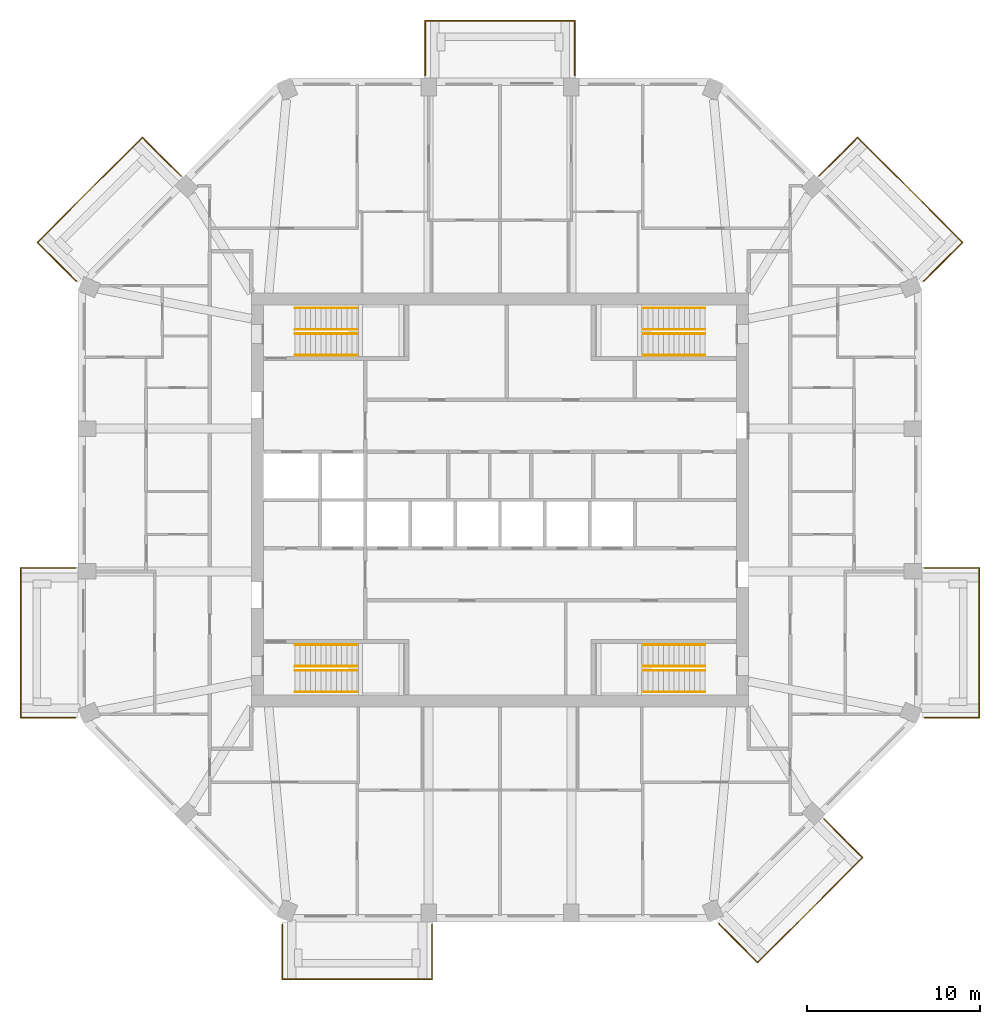
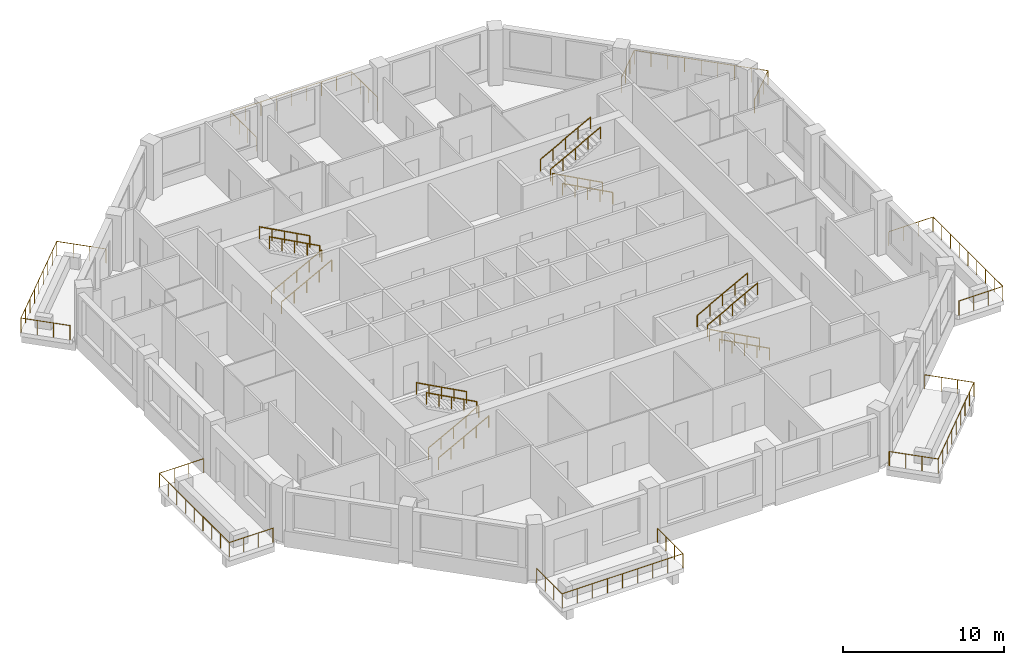
# One storey, part 10 of 10: 23 railings.
"""IFC4 building model written with IfcOpenShell, lengths in metres."""

from ifc_helpers import new_model, si_unit, direction, frame, origin, origin_2d, place, context, subcontext, project, spatial, circle, extrude, material, constituent, constituent_set, type_object, element, save


model = new_model("IFC4")

# Units and contexts
model_context = context("Model", 3, precision=1e-05, world=origin(), true_north=direction((0.0, 1.0)))
body_context = subcontext(model_context, "Body", "Model", "MODEL_VIEW")
ifc_project = project(units=[si_unit("LENGTHUNIT", "METRE"), si_unit("AREAUNIT", "SQUARE_METRE"), si_unit("VOLUMEUNIT", "CUBIC_METRE"), si_unit("PLANEANGLEUNIT", "RADIAN"), si_unit("MASSUNIT", "GRAM", prefix="KILO")], contexts=[model_context])

# Site, building, storey
site_placement = place(None, origin())
site = spatial("IfcSite", under=ifc_project, at=site_placement, CompositionType="ELEMENT")
building_placement = place(site_placement, origin())
building = spatial("IfcBuilding", under=site, at=building_placement, Name="Msitu Wima Residences", CompositionType="ELEMENT")
storey_placement = place(building_placement, frame((0.0, 0.0, 195.89990234375)))
storey = spatial("IfcBuildingStorey", under=building, at=storey_placement, Name="L45", CompositionType="ELEMENT", Elevation=195.89990234375)

# Railings
ifc_material_1 = material(Name="Steel S355", Category="steel")
ifc_constituent_1 = constituent(ifc_material_1, Name="Steel S355")
ifc_material_2 = material(Name="Weathering patina")
ifc_constituent_2 = constituent(ifc_material_2, Name="Weathering patina")
ifc_constituent_set_1 = constituent_set(constituents=[ifc_constituent_1, ifc_constituent_2], Name="Steel S355")
railing_type_1 = type_object("IfcRailingType", Name="Balcony guard GR1100", PredefinedType="GUARDRAIL", material=ifc_constituent_set_1)
railing_1_placement = place(storey_placement, frame((24.580078125, -3.937255859375, 0.0)))
element("IfcRailing", 1, at=railing_1_placement, inside=storey, type_object=railing_type_1, Name="Balcony guard E0 L45", PredefinedType="GUARDRAIL", context=body_context, shape_type="SweptSolid", body=[
    extrude(circle(Radius=0.02392578125, at=origin_2d()), frame((0.0, 0.0, 1.076171875), z_axis=(1.0, 0.0, 0.0), x_axis=(0.0, 1.0, 0.0)), (0.0, 0.0, 1.0), 3.169921875),
    extrude(circle(Radius=0.02392578125, at=origin_2d()), frame((3.169921875, 0.0, 1.076171875), z_axis=(0.0, -1.0, 0.0), x_axis=(1.0, 0.0, 0.0)), (0.0, 0.0, 1.0), 8.674560546875),
    extrude(circle(Radius=0.02392578125, at=origin_2d()), frame((3.169921875, -8.674560546875, 1.076171875), z_axis=(-1.0, 0.0, 0.0), x_axis=(0.0, -1.0, 0.0)), (0.0, 0.0, 1.0), 3.136474609375),
    extrude(circle(Radius=0.02392578125, at=origin_2d()), frame((0.033447265625, -8.674560546875, 1.076171875), z_axis=(-0.923276184907, 0.384136806859, 0.0), x_axis=(-0.384136806859, -0.923276184907, 0.0)), (0.0, 0.0, 1.0), 0.0361328125),
    extrude(circle(Radius=0.02099609375, at=origin_2d()), origin(), (0.0, 0.0, 1.0), 1.052001953125),
    extrude(circle(Radius=0.02099609375, at=origin_2d()), frame((1.056640625, 0.0, 0.0)), (0.0, 0.0, 1.0), 1.052001953125),
    extrude(circle(Radius=0.02099609375, at=origin_2d()), frame((2.11328125, 0.0, 0.0)), (0.0, 0.0, 1.0), 1.052001953125),
    extrude(circle(Radius=0.02099609375, at=origin_2d()), frame((3.169921875, 0.0, 0.0)), (0.0, 0.0, 1.0), 1.052001953125),
    extrude(circle(Radius=0.02099609375, at=origin_2d()), frame((3.169921875, -1.084228515625, 0.0)), (0.0, 0.0, 1.0), 1.052001953125),
    extrude(circle(Radius=0.02099609375, at=origin_2d()), frame((3.169921875, -2.168701171875, 0.0)), (0.0, 0.0, 1.0), 1.052001953125),
    extrude(circle(Radius=0.02099609375, at=origin_2d()), frame((3.169921875, -3.2529296875, 0.0)), (0.0, 0.0, 1.0), 1.052001953125),
    extrude(circle(Radius=0.02099609375, at=origin_2d()), frame((3.169921875, -4.33740234375, 0.0)), (0.0, 0.0, 1.0), 1.052001953125),
    extrude(circle(Radius=0.02099609375, at=origin_2d()), frame((3.169921875, -5.421630859375, 0.0)), (0.0, 0.0, 1.0), 1.052001953125),
    extrude(circle(Radius=0.02099609375, at=origin_2d()), frame((3.169921875, -6.505859375, 0.0)), (0.0, 0.0, 1.0), 1.052001953125),
    extrude(circle(Radius=0.02099609375, at=origin_2d()), frame((3.169921875, -7.59033203125, 0.0)), (0.0, 0.0, 1.0), 1.052001953125),
    extrude(circle(Radius=0.02099609375, at=origin_2d()), frame((3.169921875, -8.674560546875, 0.0)), (0.0, 0.0, 1.0), 1.052001953125),
    extrude(circle(Radius=0.02099609375, at=origin_2d()), frame((2.12451171875, -8.674560546875, 0.0)), (0.0, 0.0, 1.0), 1.052001953125),
    extrude(circle(Radius=0.02099609375, at=origin_2d()), frame((1.078857421875, -8.674560546875, 0.0)), (0.0, 0.0, 1.0), 1.052001953125),
    extrude(circle(Radius=0.02099609375, at=origin_2d()), frame((0.033447265625, -8.674560546875, 0.0)), (0.0, 0.0, 1.0), 1.052001953125),
    extrude(circle(Radius=0.02099609375, at=origin_2d()), frame((0.0, -8.66064453125, 0.0)), (0.0, 0.0, 1.0), 1.052001953125),
])
railing_2_placement = place(storey_placement, frame((18.474609375, 18.75732421875, 0.0)))
element("IfcRailing", 2, at=railing_2_placement, inside=storey, type_object=railing_type_1, Name="Balcony guard NE0 L45", PredefinedType="GUARDRAIL", context=body_context, shape_type="SweptSolid", body=[
    extrude(circle(Radius=0.02392578125, at=origin_2d()), frame((0.0, 0.0, 1.076171875), z_axis=(0.707068272989, 0.707145287287, 0.0), x_axis=(-0.707145287287, 0.707068272989, 0.0)), (0.0, 0.0, 1.0), 3.170166015625),
    extrude(circle(Radius=0.02392578125, at=origin_2d()), frame((2.241455078125, 2.24169921875, 1.076171875), z_axis=(0.707106781187, -0.707106781187, 0.0), x_axis=(0.707106781187, 0.707106781187, 0.0)), (0.0, 0.0, 1.0), 8.593994140625),
    extrude(circle(Radius=0.02392578125, at=origin_2d()), frame((8.318359375, -3.835205078125, 1.076171875), z_axis=(-0.707067861805, -0.707145698426, 0.0), x_axis=(0.707145698426, -0.707067861805, 0.0)), (0.0, 0.0, 1.0), 3.136474609375),
    extrude(circle(Radius=0.02392578125, at=origin_2d()), frame((6.1005859375, -6.05322265625, 1.076171875), z_axis=(-0.923276184907, -0.384136806859, 0.0), x_axis=(0.384136806859, -0.923276184907, 0.0)), (0.0, 0.0, 1.0), 0.0361328125),
    extrude(circle(Radius=0.02099609375, at=origin_2d()), origin(), (0.0, 0.0, 1.0), 1.052001953125),
    extrude(circle(Radius=0.02099609375, at=origin_2d()), frame((0.7470703125, 0.747314453125, 0.0)), (0.0, 0.0, 1.0), 1.052001953125),
    extrude(circle(Radius=0.02099609375, at=origin_2d()), frame((1.494384765625, 1.494384765625, 0.0)), (0.0, 0.0, 1.0), 1.052001953125),
    extrude(circle(Radius=0.02099609375, at=origin_2d()), frame((2.241455078125, 2.24169921875, 0.0)), (0.0, 0.0, 1.0), 1.052001953125),
    extrude(circle(Radius=0.02099609375, at=origin_2d()), frame((3.0009765625, 1.482177734375, 0.0)), (0.0, 0.0, 1.0), 1.052001953125),
    extrude(circle(Radius=0.02099609375, at=origin_2d()), frame((3.7607421875, 0.722412109375, 0.0)), (0.0, 0.0, 1.0), 1.052001953125),
    extrude(circle(Radius=0.02099609375, at=origin_2d()), frame((4.520263671875, -0.037109375, 0.0)), (0.0, 0.0, 1.0), 1.052001953125),
    extrude(circle(Radius=0.02099609375, at=origin_2d()), frame((5.27978515625, -0.796875, 0.0)), (0.0, 0.0, 1.0), 1.052001953125),
    extrude(circle(Radius=0.02099609375, at=origin_2d()), frame((6.03955078125, -1.556396484375, 0.0)), (0.0, 0.0, 1.0), 1.052001953125),
    extrude(circle(Radius=0.02099609375, at=origin_2d()), frame((6.799072265625, -2.31591796875, 0.0)), (0.0, 0.0, 1.0), 1.052001953125),
    extrude(circle(Radius=0.02099609375, at=origin_2d()), frame((7.558837890625, -3.07568359375, 0.0)), (0.0, 0.0, 1.0), 1.052001953125),
    extrude(circle(Radius=0.02099609375, at=origin_2d()), frame((8.318359375, -3.835205078125, 0.0)), (0.0, 0.0, 1.0), 1.052001953125),
    extrude(circle(Radius=0.02099609375, at=origin_2d()), frame((7.5791015625, -4.574462890625, 0.0)), (0.0, 0.0, 1.0), 1.052001953125),
    extrude(circle(Radius=0.02099609375, at=origin_2d()), frame((6.83984375, -5.31396484375, 0.0)), (0.0, 0.0, 1.0), 1.052001953125),
    extrude(circle(Radius=0.02099609375, at=origin_2d()), frame((6.1005859375, -6.05322265625, 0.0)), (0.0, 0.0, 1.0), 1.052001953125),
    extrude(circle(Radius=0.02099609375, at=origin_2d()), frame((6.067138671875, -6.067138671875, 0.0)), (0.0, 0.0, 1.0), 1.052001953125),
])
railing_3_placement = place(storey_placement, frame((-4.337158203125, 24.580078125, 0.0)))
element("IfcRailing", 3, at=railing_3_placement, inside=storey, type_object=railing_type_1, Name="Balcony guard N1 L45", PredefinedType="GUARDRAIL", context=body_context, shape_type="SweptSolid", body=[
    extrude(circle(Radius=0.02392578125, at=origin_2d()), frame((0.0, 0.0, 1.076171875), z_axis=(0.0, 1.0, 0.0), x_axis=(-1.0, 0.0, 0.0)), (0.0, 0.0, 1.0), 3.169921875),
    extrude(circle(Radius=0.02392578125, at=origin_2d()), frame((0.0, 3.169921875, 1.076171875), z_axis=(1.0, 0.0, 0.0), x_axis=(0.0, 1.0, 0.0)), (0.0, 0.0, 1.0), 8.67431640625),
    extrude(circle(Radius=0.02392578125, at=origin_2d()), frame((8.67431640625, 3.169921875, 1.076171875), z_axis=(0.0, -1.0, 0.0), x_axis=(1.0, 0.0, 0.0)), (0.0, 0.0, 1.0), 3.169921875),
    extrude(circle(Radius=0.02099609375, at=origin_2d()), origin(), (0.0, 0.0, 1.0), 1.052001953125),
    extrude(circle(Radius=0.02099609375, at=origin_2d()), frame((0.0, 1.056640625, 0.0)), (0.0, 0.0, 1.0), 1.052001953125),
    extrude(circle(Radius=0.02099609375, at=origin_2d()), frame((0.0, 2.11328125, 0.0)), (0.0, 0.0, 1.0), 1.052001953125),
    extrude(circle(Radius=0.02099609375, at=origin_2d()), frame((0.0, 3.169921875, 0.0)), (0.0, 0.0, 1.0), 1.052001953125),
    extrude(circle(Radius=0.02099609375, at=origin_2d()), frame((1.084228515625, 3.169921875, 0.0)), (0.0, 0.0, 1.0), 1.052001953125),
    extrude(circle(Radius=0.02099609375, at=origin_2d()), frame((2.16845703125, 3.169921875, 0.0)), (0.0, 0.0, 1.0), 1.052001953125),
    extrude(circle(Radius=0.02099609375, at=origin_2d()), frame((3.2529296875, 3.169921875, 0.0)), (0.0, 0.0, 1.0), 1.052001953125),
    extrude(circle(Radius=0.02099609375, at=origin_2d()), frame((4.337158203125, 3.169921875, 0.0)), (0.0, 0.0, 1.0), 1.052001953125),
    extrude(circle(Radius=0.02099609375, at=origin_2d()), frame((5.42138671875, 3.169921875, 0.0)), (0.0, 0.0, 1.0), 1.052001953125),
    extrude(circle(Radius=0.02099609375, at=origin_2d()), frame((6.505859375, 3.169921875, 0.0)), (0.0, 0.0, 1.0), 1.052001953125),
    extrude(circle(Radius=0.02099609375, at=origin_2d()), frame((7.590087890625, 3.169921875, 0.0)), (0.0, 0.0, 1.0), 1.052001953125),
    extrude(circle(Radius=0.02099609375, at=origin_2d()), frame((8.67431640625, 3.169921875, 0.0)), (0.0, 0.0, 1.0), 1.052001953125),
    extrude(circle(Radius=0.02099609375, at=origin_2d()), frame((8.67431640625, 2.11328125, 0.0)), (0.0, 0.0, 1.0), 1.052001953125),
    extrude(circle(Radius=0.02099609375, at=origin_2d()), frame((8.67431640625, 1.056640625, 0.0)), (0.0, 0.0, 1.0), 1.052001953125),
    extrude(circle(Radius=0.02099609375, at=origin_2d()), frame((8.67431640625, 0.0, 0.0)), (0.0, 0.0, 1.0), 1.052001953125),
])
railing_4_placement = place(storey_placement, frame((-24.541748046875, 12.690185546875, 0.0)))
element("IfcRailing", 4, at=railing_4_placement, inside=storey, type_object=railing_type_1, Name="Balcony guard NW1 L45", PredefinedType="GUARDRAIL", context=body_context, shape_type="SweptSolid", body=[
    extrude(circle(Radius=0.02392578125, at=origin_2d()), frame((0.0, 0.0, 1.076171875), z_axis=(-0.923276184907, 0.384136806859, 0.0), x_axis=(-0.384136806859, -0.923276184907, 0.0)), (0.0, 0.0, 1.0), 0.0361328125),
    extrude(circle(Radius=0.02392578125, at=origin_2d()), frame((-0.033447265625, 0.013916015625, 1.076171875), z_axis=(-0.707067861805, 0.707145698426, 0.0), x_axis=(-0.707145698426, -0.707067861805, 0.0)), (0.0, 0.0, 1.0), 3.136474609375),
    extrude(circle(Radius=0.02392578125, at=origin_2d()), frame((-2.251220703125, 2.23193359375, 1.076171875), z_axis=(0.707106781187, 0.707106781187, 0.0), x_axis=(-0.707106781187, 0.707106781187, 0.0)), (0.0, 0.0, 1.0), 8.593994140625),
    extrude(circle(Radius=0.02392578125, at=origin_2d()), frame((3.82568359375, 8.308837890625, 1.076171875), z_axis=(0.707068272989, -0.707145287287, 0.0), x_axis=(0.707145287287, 0.707068272989, 0.0)), (0.0, 0.0, 1.0), 3.170166015625),
    extrude(circle(Radius=0.02099609375, at=origin_2d()), origin(), (0.0, 0.0, 1.0), 1.052001953125),
    extrude(circle(Radius=0.02099609375, at=origin_2d()), frame((-0.033447265625, 0.013916015625, 0.0)), (0.0, 0.0, 1.0), 1.052001953125),
    extrude(circle(Radius=0.02099609375, at=origin_2d()), frame((-0.772705078125, 0.753173828125, 0.0)), (0.0, 0.0, 1.0), 1.052001953125),
    extrude(circle(Radius=0.02099609375, at=origin_2d()), frame((-1.511962890625, 1.49267578125, 0.0)), (0.0, 0.0, 1.0), 1.052001953125),
    extrude(circle(Radius=0.02099609375, at=origin_2d()), frame((-2.251220703125, 2.23193359375, 0.0)), (0.0, 0.0, 1.0), 1.052001953125),
    extrude(circle(Radius=0.02099609375, at=origin_2d()), frame((-1.49169921875, 2.991455078125, 0.0)), (0.0, 0.0, 1.0), 1.052001953125),
    extrude(circle(Radius=0.02099609375, at=origin_2d()), frame((-0.73193359375, 3.751220703125, 0.0)), (0.0, 0.0, 1.0), 1.052001953125),
    extrude(circle(Radius=0.02099609375, at=origin_2d()), frame((0.027587890625, 4.5107421875, 0.0)), (0.0, 0.0, 1.0), 1.052001953125),
    extrude(circle(Radius=0.02099609375, at=origin_2d()), frame((0.787109375, 5.2705078125, 0.0)), (0.0, 0.0, 1.0), 1.052001953125),
    extrude(circle(Radius=0.02099609375, at=origin_2d()), frame((1.546875, 6.030029296875, 0.0)), (0.0, 0.0, 1.0), 1.052001953125),
    extrude(circle(Radius=0.02099609375, at=origin_2d()), frame((2.306396484375, 6.78955078125, 0.0)), (0.0, 0.0, 1.0), 1.052001953125),
    extrude(circle(Radius=0.02099609375, at=origin_2d()), frame((3.066162109375, 7.54931640625, 0.0)), (0.0, 0.0, 1.0), 1.052001953125),
    extrude(circle(Radius=0.02099609375, at=origin_2d()), frame((3.82568359375, 8.308837890625, 0.0)), (0.0, 0.0, 1.0), 1.052001953125),
    extrude(circle(Radius=0.02099609375, at=origin_2d()), frame((4.57275390625, 7.5615234375, 0.0)), (0.0, 0.0, 1.0), 1.052001953125),
    extrude(circle(Radius=0.02099609375, at=origin_2d()), frame((5.320068359375, 6.814453125, 0.0)), (0.0, 0.0, 1.0), 1.052001953125),
    extrude(circle(Radius=0.02099609375, at=origin_2d()), frame((6.067138671875, 6.067138671875, 0.0)), (0.0, 0.0, 1.0), 1.052001953125),
])
railing_5_placement = place(storey_placement, frame((-24.580078125, -12.597900390625, 0.0)))
element("IfcRailing", 5, at=railing_5_placement, inside=storey, type_object=railing_type_1, Name="Balcony guard W2 L45", PredefinedType="GUARDRAIL", context=body_context, shape_type="SweptSolid", body=[
    extrude(circle(Radius=0.02392578125, at=origin_2d()), frame((0.0, 0.0, 1.076171875), z_axis=(-0.923276184907, -0.384136806859, 0.0), x_axis=(0.384136806859, -0.923276184907, 0.0)), (0.0, 0.0, 1.0), 0.0361328125),
    extrude(circle(Radius=0.02392578125, at=origin_2d()), frame((-0.033447265625, -0.013916015625, 1.076171875), z_axis=(-1.0, 0.0, 0.0), x_axis=(0.0, -1.0, 0.0)), (0.0, 0.0, 1.0), 3.136474609375),
    extrude(circle(Radius=0.02392578125, at=origin_2d()), frame((-3.169921875, -0.013916015625, 1.076171875), z_axis=(0.0, 1.0, 0.0), x_axis=(-1.0, 0.0, 0.0)), (0.0, 0.0, 1.0), 8.674560546875),
    extrude(circle(Radius=0.02392578125, at=origin_2d()), frame((-3.169921875, 8.66064453125, 1.076171875), z_axis=(1.0, 0.0, 0.0), x_axis=(0.0, 1.0, 0.0)), (0.0, 0.0, 1.0), 3.169921875),
    extrude(circle(Radius=0.02099609375, at=origin_2d()), origin(), (0.0, 0.0, 1.0), 1.052001953125),
    extrude(circle(Radius=0.02099609375, at=origin_2d()), frame((-0.033447265625, -0.013916015625, 0.0)), (0.0, 0.0, 1.0), 1.052001953125),
    extrude(circle(Radius=0.02099609375, at=origin_2d()), frame((-1.078857421875, -0.013916015625, 0.0)), (0.0, 0.0, 1.0), 1.052001953125),
    extrude(circle(Radius=0.02099609375, at=origin_2d()), frame((-2.12451171875, -0.013916015625, 0.0)), (0.0, 0.0, 1.0), 1.052001953125),
    extrude(circle(Radius=0.02099609375, at=origin_2d()), frame((-3.169921875, -0.013916015625, 0.0)), (0.0, 0.0, 1.0), 1.052001953125),
    extrude(circle(Radius=0.02099609375, at=origin_2d()), frame((-3.169921875, 1.0703125, 0.0)), (0.0, 0.0, 1.0), 1.052001953125),
    extrude(circle(Radius=0.02099609375, at=origin_2d()), frame((-3.169921875, 2.15478515625, 0.0)), (0.0, 0.0, 1.0), 1.052001953125),
    extrude(circle(Radius=0.02099609375, at=origin_2d()), frame((-3.169921875, 3.239013671875, 0.0)), (0.0, 0.0, 1.0), 1.052001953125),
    extrude(circle(Radius=0.02099609375, at=origin_2d()), frame((-3.169921875, 4.3232421875, 0.0)), (0.0, 0.0, 1.0), 1.052001953125),
    extrude(circle(Radius=0.02099609375, at=origin_2d()), frame((-3.169921875, 5.40771484375, 0.0)), (0.0, 0.0, 1.0), 1.052001953125),
    extrude(circle(Radius=0.02099609375, at=origin_2d()), frame((-3.169921875, 6.491943359375, 0.0)), (0.0, 0.0, 1.0), 1.052001953125),
    extrude(circle(Radius=0.02099609375, at=origin_2d()), frame((-3.169921875, 7.576416015625, 0.0)), (0.0, 0.0, 1.0), 1.052001953125),
    extrude(circle(Radius=0.02099609375, at=origin_2d()), frame((-3.169921875, 8.66064453125, 0.0)), (0.0, 0.0, 1.0), 1.052001953125),
    extrude(circle(Radius=0.02099609375, at=origin_2d()), frame((-2.11328125, 8.66064453125, 0.0)), (0.0, 0.0, 1.0), 1.052001953125),
    extrude(circle(Radius=0.02099609375, at=origin_2d()), frame((-1.056640625, 8.66064453125, 0.0)), (0.0, 0.0, 1.0), 1.052001953125),
    extrude(circle(Radius=0.02099609375, at=origin_2d()), frame((0.0, 8.66064453125, 0.0)), (0.0, 0.0, 1.0), 1.052001953125),
])
railing_6_placement = place(storey_placement, frame((-3.937255859375, -24.580078125, 0.0)))
element("IfcRailing", 6, at=railing_6_placement, inside=storey, type_object=railing_type_1, Name="Balcony guard S0 L45", PredefinedType="GUARDRAIL", context=body_context, shape_type="SweptSolid", body=[
    extrude(circle(Radius=0.02392578125, at=origin_2d()), frame((0.0, 0.0, 1.076171875), z_axis=(0.0, -1.0, 0.0), x_axis=(1.0, 0.0, 0.0)), (0.0, 0.0, 1.0), 3.169921875),
    extrude(circle(Radius=0.02392578125, at=origin_2d()), frame((0.0, -3.169921875, 1.076171875), z_axis=(-1.0, 0.0, 0.0), x_axis=(0.0, -1.0, 0.0)), (0.0, 0.0, 1.0), 8.674560546875),
    extrude(circle(Radius=0.02392578125, at=origin_2d()), frame((-8.674560546875, -3.169921875, 1.076171875), z_axis=(0.0, 1.0, 0.0), x_axis=(-1.0, 0.0, 0.0)), (0.0, 0.0, 1.0), 3.136474609375),
    extrude(circle(Radius=0.02392578125, at=origin_2d()), frame((-8.674560546875, -0.033447265625, 1.076171875), z_axis=(0.384136806859, 0.923276184907, 0.0), x_axis=(-0.923276184907, 0.384136806859, 0.0)), (0.0, 0.0, 1.0), 0.0361328125),
    extrude(circle(Radius=0.02099609375, at=origin_2d()), origin(), (0.0, 0.0, 1.0), 1.052001953125),
    extrude(circle(Radius=0.02099609375, at=origin_2d()), frame((0.0, -1.056640625, 0.0)), (0.0, 0.0, 1.0), 1.052001953125),
    extrude(circle(Radius=0.02099609375, at=origin_2d()), frame((0.0, -2.11328125, 0.0)), (0.0, 0.0, 1.0), 1.052001953125),
    extrude(circle(Radius=0.02099609375, at=origin_2d()), frame((0.0, -3.169921875, 0.0)), (0.0, 0.0, 1.0), 1.052001953125),
    extrude(circle(Radius=0.02099609375, at=origin_2d()), frame((-1.084228515625, -3.169921875, 0.0)), (0.0, 0.0, 1.0), 1.052001953125),
    extrude(circle(Radius=0.02099609375, at=origin_2d()), frame((-2.168701171875, -3.169921875, 0.0)), (0.0, 0.0, 1.0), 1.052001953125),
    extrude(circle(Radius=0.02099609375, at=origin_2d()), frame((-3.2529296875, -3.169921875, 0.0)), (0.0, 0.0, 1.0), 1.052001953125),
    extrude(circle(Radius=0.02099609375, at=origin_2d()), frame((-4.33740234375, -3.169921875, 0.0)), (0.0, 0.0, 1.0), 1.052001953125),
    extrude(circle(Radius=0.02099609375, at=origin_2d()), frame((-5.421630859375, -3.169921875, 0.0)), (0.0, 0.0, 1.0), 1.052001953125),
    extrude(circle(Radius=0.02099609375, at=origin_2d()), frame((-6.505859375, -3.169921875, 0.0)), (0.0, 0.0, 1.0), 1.052001953125),
    extrude(circle(Radius=0.02099609375, at=origin_2d()), frame((-7.59033203125, -3.169921875, 0.0)), (0.0, 0.0, 1.0), 1.052001953125),
    extrude(circle(Radius=0.02099609375, at=origin_2d()), frame((-8.674560546875, -3.169921875, 0.0)), (0.0, 0.0, 1.0), 1.052001953125),
    extrude(circle(Radius=0.02099609375, at=origin_2d()), frame((-8.674560546875, -2.12451171875, 0.0)), (0.0, 0.0, 1.0), 1.052001953125),
    extrude(circle(Radius=0.02099609375, at=origin_2d()), frame((-8.674560546875, -1.078857421875, 0.0)), (0.0, 0.0, 1.0), 1.052001953125),
    extrude(circle(Radius=0.02099609375, at=origin_2d()), frame((-8.674560546875, -0.033447265625, 0.0)), (0.0, 0.0, 1.0), 1.052001953125),
    extrude(circle(Radius=0.02099609375, at=origin_2d()), frame((-8.66064453125, 0.0, 0.0)), (0.0, 0.0, 1.0), 1.052001953125),
])
railing_7_placement = place(storey_placement, frame((18.75732421875, -18.474609375, 0.0)))
element("IfcRailing", 7, at=railing_7_placement, inside=storey, type_object=railing_type_1, Name="Balcony guard SE0 L45", PredefinedType="GUARDRAIL", context=body_context, shape_type="SweptSolid", body=[
    extrude(circle(Radius=0.02392578125, at=origin_2d()), frame((0.0, 0.0, 1.076171875), z_axis=(0.707145287287, -0.707068272989, 0.0), x_axis=(0.707068272989, 0.707145287287, 0.0)), (0.0, 0.0, 1.0), 3.170166015625),
    extrude(circle(Radius=0.02392578125, at=origin_2d()), frame((2.24169921875, -2.241455078125, 1.076171875), z_axis=(-0.707106781187, -0.707106781187, 0.0), x_axis=(0.707106781187, -0.707106781187, 0.0)), (0.0, 0.0, 1.0), 8.593994140625),
    extrude(circle(Radius=0.02392578125, at=origin_2d()), frame((-3.835205078125, -8.318359375, 1.076171875), z_axis=(-0.707145698426, 0.707067861805, 0.0), x_axis=(-0.707067861805, -0.707145698426, 0.0)), (0.0, 0.0, 1.0), 3.136474609375),
    extrude(circle(Radius=0.02392578125, at=origin_2d()), frame((-6.05322265625, -6.1005859375, 1.076171875), z_axis=(-0.384136806859, 0.923276184907, 0.0), x_axis=(-0.923276184907, -0.384136806859, 0.0)), (0.0, 0.0, 1.0), 0.0361328125),
    extrude(circle(Radius=0.02099609375, at=origin_2d()), origin(), (0.0, 0.0, 1.0), 1.052001953125),
    extrude(circle(Radius=0.02099609375, at=origin_2d()), frame((0.747314453125, -0.7470703125, 0.0)), (0.0, 0.0, 1.0), 1.052001953125),
    extrude(circle(Radius=0.02099609375, at=origin_2d()), frame((1.494384765625, -1.494384765625, 0.0)), (0.0, 0.0, 1.0), 1.052001953125),
    extrude(circle(Radius=0.02099609375, at=origin_2d()), frame((2.24169921875, -2.241455078125, 0.0)), (0.0, 0.0, 1.0), 1.052001953125),
    extrude(circle(Radius=0.02099609375, at=origin_2d()), frame((1.482177734375, -3.0009765625, 0.0)), (0.0, 0.0, 1.0), 1.052001953125),
    extrude(circle(Radius=0.02099609375, at=origin_2d()), frame((0.722412109375, -3.7607421875, 0.0)), (0.0, 0.0, 1.0), 1.052001953125),
    extrude(circle(Radius=0.02099609375, at=origin_2d()), frame((-0.037109375, -4.520263671875, 0.0)), (0.0, 0.0, 1.0), 1.052001953125),
    extrude(circle(Radius=0.02099609375, at=origin_2d()), frame((-0.796875, -5.27978515625, 0.0)), (0.0, 0.0, 1.0), 1.052001953125),
    extrude(circle(Radius=0.02099609375, at=origin_2d()), frame((-1.556396484375, -6.03955078125, 0.0)), (0.0, 0.0, 1.0), 1.052001953125),
    extrude(circle(Radius=0.02099609375, at=origin_2d()), frame((-2.31591796875, -6.799072265625, 0.0)), (0.0, 0.0, 1.0), 1.052001953125),
    extrude(circle(Radius=0.02099609375, at=origin_2d()), frame((-3.07568359375, -7.558837890625, 0.0)), (0.0, 0.0, 1.0), 1.052001953125),
    extrude(circle(Radius=0.02099609375, at=origin_2d()), frame((-3.835205078125, -8.318359375, 0.0)), (0.0, 0.0, 1.0), 1.052001953125),
    extrude(circle(Radius=0.02099609375, at=origin_2d()), frame((-4.574462890625, -7.5791015625, 0.0)), (0.0, 0.0, 1.0), 1.052001953125),
    extrude(circle(Radius=0.02099609375, at=origin_2d()), frame((-5.31396484375, -6.83984375, 0.0)), (0.0, 0.0, 1.0), 1.052001953125),
    extrude(circle(Radius=0.02099609375, at=origin_2d()), frame((-6.05322265625, -6.1005859375, 0.0)), (0.0, 0.0, 1.0), 1.052001953125),
    extrude(circle(Radius=0.02099609375, at=origin_2d()), frame((-6.067138671875, -6.067138671875, 0.0)), (0.0, 0.0, 1.0), 1.052001953125),
])
ifc_constituent_3 = constituent(ifc_material_1, Name="Steel S355")
ifc_material_3 = material(Name="Black powder coating")
ifc_constituent_4 = constituent(ifc_material_3, Name="Black powder coating")
ifc_constituent_set_2 = constituent_set(constituents=[ifc_constituent_3, ifc_constituent_4], Name="Steel S355")
railing_type_2 = type_object("IfcRailingType", Name="Stair handrail HR1", PredefinedType="HANDRAIL", material=ifc_constituent_set_2)
for number, where, name in (
    (8, (-11.875, 8.375, 0.16162109375), "Stair 1 handrail"),
    (9, (-11.875, 9.625, 0.16162109375), "Stair 1 handrail"),
):
    element("IfcRailing", number, at=place(storey_placement, frame(where)), inside=storey, type_object=railing_type_2, Name=name, PredefinedType="HANDRAIL", context=body_context, shape_type="SweptSolid", body=[
        extrude(circle(Radius=0.02392578125, at=origin_2d()), frame((0.0, 0.0, 0.8759765625), z_axis=(0.880474934443, 0.0, 0.474092701714), x_axis=(0.0, 1.0, 0.0)), (0.0, 0.0, 1.0), 4.0888671875),
        extrude(circle(Radius=0.02099609375, at=origin_2d()), origin(), (0.0, 0.0, 1.0), 0.851806640625),
        extrude(circle(Radius=0.02099609375, at=origin_2d()), frame((0.89990234375, 0.0, 0.484619140625)), (0.0, 0.0, 1.0), 0.851806640625),
        extrude(circle(Radius=0.02099609375, at=origin_2d()), frame((1.800048828125, 0.0, 0.96923828125)), (0.0, 0.0, 1.0), 0.851806640625),
        extrude(circle(Radius=0.02099609375, at=origin_2d()), frame((2.7001953125, 0.0, 1.453857421875)), (0.0, 0.0, 1.0), 0.851806640625),
        extrude(circle(Radius=0.02099609375, at=origin_2d()), frame((3.60009765625, 0.0, 1.9384765625)), (0.0, 0.0, 1.0), 0.851806640625),
    ])
for number, where, name in (
    (10, (-8.27490234375, 9.875, 2.26171875), "Stair 1 handrail"),
    (11, (-8.27490234375, 11.125, 2.26171875), "Stair 1 handrail"),
):
    element("IfcRailing", number, at=place(storey_placement, frame(where)), inside=storey, type_object=railing_type_2, Name=name, PredefinedType="HANDRAIL", context=body_context, shape_type="SweptSolid", body=[
        extrude(circle(Radius=0.02392578125, at=origin_2d()), frame((0.0, 0.0, 0.8759765625), z_axis=(-0.880474934443, 0.0, 0.474092701714), x_axis=(0.0, -1.0, 0.0)), (0.0, 0.0, 1.0), 4.0888671875),
        extrude(circle(Radius=0.02099609375, at=origin_2d()), origin(), (0.0, 0.0, 1.0), 0.851806640625),
        extrude(circle(Radius=0.02099609375, at=origin_2d()), frame((-0.89990234375, 0.0, 0.484619140625)), (0.0, 0.0, 1.0), 0.851806640625),
        extrude(circle(Radius=0.02099609375, at=origin_2d()), frame((-1.800048828125, 0.0, 0.96923828125)), (0.0, 0.0, 1.0), 0.851806640625),
        extrude(circle(Radius=0.02099609375, at=origin_2d()), frame((-2.7001953125, 0.0, 1.453857421875)), (0.0, 0.0, 1.0), 0.851806640625),
        extrude(circle(Radius=0.02099609375, at=origin_2d()), frame((-3.60009765625, 0.0, 1.9384765625)), (0.0, 0.0, 1.0), 0.851806640625),
    ])
for number, where, name in (
    (12, (-11.875, -11.125, 0.16162109375), "Stair 2 handrail"),
    (13, (-11.875, -9.875, 0.16162109375), "Stair 2 handrail"),
):
    element("IfcRailing", number, at=place(storey_placement, frame(where)), inside=storey, type_object=railing_type_2, Name=name, PredefinedType="HANDRAIL", context=body_context, shape_type="SweptSolid", body=[
        extrude(circle(Radius=0.02392578125, at=origin_2d()), frame((0.0, 0.0, 0.8759765625), z_axis=(0.880474934443, 0.0, 0.474092701714), x_axis=(0.0, 1.0, 0.0)), (0.0, 0.0, 1.0), 4.0888671875),
        extrude(circle(Radius=0.02099609375, at=origin_2d()), origin(), (0.0, 0.0, 1.0), 0.851806640625),
        extrude(circle(Radius=0.02099609375, at=origin_2d()), frame((0.89990234375, 0.0, 0.484619140625)), (0.0, 0.0, 1.0), 0.851806640625),
        extrude(circle(Radius=0.02099609375, at=origin_2d()), frame((1.800048828125, 0.0, 0.96923828125)), (0.0, 0.0, 1.0), 0.851806640625),
        extrude(circle(Radius=0.02099609375, at=origin_2d()), frame((2.7001953125, 0.0, 1.453857421875)), (0.0, 0.0, 1.0), 0.851806640625),
        extrude(circle(Radius=0.02099609375, at=origin_2d()), frame((3.60009765625, 0.0, 1.9384765625)), (0.0, 0.0, 1.0), 0.851806640625),
    ])
for number, where, name in (
    (14, (-8.27490234375, -9.625, 2.26171875), "Stair 2 handrail"),
    (15, (-8.27490234375, -8.375, 2.26171875), "Stair 2 handrail"),
    (16, (11.875, 8.375, 0.16162109375), "Stair 3 handrail"),
    (17, (11.875, 9.625, 0.16162109375), "Stair 3 handrail"),
):
    element("IfcRailing", number, at=place(storey_placement, frame(where)), inside=storey, type_object=railing_type_2, Name=name, PredefinedType="HANDRAIL", context=body_context, shape_type="SweptSolid", body=[
        extrude(circle(Radius=0.02392578125, at=origin_2d()), frame((0.0, 0.0, 0.8759765625), z_axis=(-0.880474934443, 0.0, 0.474092701714), x_axis=(0.0, -1.0, 0.0)), (0.0, 0.0, 1.0), 4.0888671875),
        extrude(circle(Radius=0.02099609375, at=origin_2d()), origin(), (0.0, 0.0, 1.0), 0.851806640625),
        extrude(circle(Radius=0.02099609375, at=origin_2d()), frame((-0.89990234375, 0.0, 0.484619140625)), (0.0, 0.0, 1.0), 0.851806640625),
        extrude(circle(Radius=0.02099609375, at=origin_2d()), frame((-1.800048828125, 0.0, 0.96923828125)), (0.0, 0.0, 1.0), 0.851806640625),
        extrude(circle(Radius=0.02099609375, at=origin_2d()), frame((-2.7001953125, 0.0, 1.453857421875)), (0.0, 0.0, 1.0), 0.851806640625),
        extrude(circle(Radius=0.02099609375, at=origin_2d()), frame((-3.60009765625, 0.0, 1.9384765625)), (0.0, 0.0, 1.0), 0.851806640625),
    ])
for number, where, name in (
    (18, (8.27490234375, 9.875, 2.26171875), "Stair 3 handrail"),
    (19, (8.27490234375, 11.125, 2.26171875), "Stair 3 handrail"),
):
    element("IfcRailing", number, at=place(storey_placement, frame(where)), inside=storey, type_object=railing_type_2, Name=name, PredefinedType="HANDRAIL", context=body_context, shape_type="SweptSolid", body=[
        extrude(circle(Radius=0.02392578125, at=origin_2d()), frame((0.0, 0.0, 0.8759765625), z_axis=(0.880474934443, 0.0, 0.474092701714), x_axis=(0.0, 1.0, 0.0)), (0.0, 0.0, 1.0), 4.0888671875),
        extrude(circle(Radius=0.02099609375, at=origin_2d()), origin(), (0.0, 0.0, 1.0), 0.851806640625),
        extrude(circle(Radius=0.02099609375, at=origin_2d()), frame((0.89990234375, 0.0, 0.484619140625)), (0.0, 0.0, 1.0), 0.851806640625),
        extrude(circle(Radius=0.02099609375, at=origin_2d()), frame((1.800048828125, 0.0, 0.96923828125)), (0.0, 0.0, 1.0), 0.851806640625),
        extrude(circle(Radius=0.02099609375, at=origin_2d()), frame((2.7001953125, 0.0, 1.453857421875)), (0.0, 0.0, 1.0), 0.851806640625),
        extrude(circle(Radius=0.02099609375, at=origin_2d()), frame((3.60009765625, 0.0, 1.9384765625)), (0.0, 0.0, 1.0), 0.851806640625),
    ])
for number, where, name in (
    (20, (11.875, -11.125, 0.16162109375), "Stair 4 handrail"),
    (21, (11.875, -9.875, 0.16162109375), "Stair 4 handrail"),
):
    element("IfcRailing", number, at=place(storey_placement, frame(where)), inside=storey, type_object=railing_type_2, Name=name, PredefinedType="HANDRAIL", context=body_context, shape_type="SweptSolid", body=[
        extrude(circle(Radius=0.02392578125, at=origin_2d()), frame((0.0, 0.0, 0.8759765625), z_axis=(-0.880474934443, 0.0, 0.474092701714), x_axis=(0.0, -1.0, 0.0)), (0.0, 0.0, 1.0), 4.0888671875),
        extrude(circle(Radius=0.02099609375, at=origin_2d()), origin(), (0.0, 0.0, 1.0), 0.851806640625),
        extrude(circle(Radius=0.02099609375, at=origin_2d()), frame((-0.89990234375, 0.0, 0.484619140625)), (0.0, 0.0, 1.0), 0.851806640625),
        extrude(circle(Radius=0.02099609375, at=origin_2d()), frame((-1.800048828125, 0.0, 0.96923828125)), (0.0, 0.0, 1.0), 0.851806640625),
        extrude(circle(Radius=0.02099609375, at=origin_2d()), frame((-2.7001953125, 0.0, 1.453857421875)), (0.0, 0.0, 1.0), 0.851806640625),
        extrude(circle(Radius=0.02099609375, at=origin_2d()), frame((-3.60009765625, 0.0, 1.9384765625)), (0.0, 0.0, 1.0), 0.851806640625),
    ])
for number, where, name in (
    (22, (8.27490234375, -9.625, 2.26171875), "Stair 4 handrail"),
    (23, (8.27490234375, -8.375, 2.26171875), "Stair 4 handrail"),
):
    element("IfcRailing", number, at=place(storey_placement, frame(where)), inside=storey, type_object=railing_type_2, Name=name, PredefinedType="HANDRAIL", context=body_context, shape_type="SweptSolid", body=[
        extrude(circle(Radius=0.02392578125, at=origin_2d()), frame((0.0, 0.0, 0.8759765625), z_axis=(0.880474934443, 0.0, 0.474092701714), x_axis=(0.0, 1.0, 0.0)), (0.0, 0.0, 1.0), 4.0888671875),
        extrude(circle(Radius=0.02099609375, at=origin_2d()), origin(), (0.0, 0.0, 1.0), 0.851806640625),
        extrude(circle(Radius=0.02099609375, at=origin_2d()), frame((0.89990234375, 0.0, 0.484619140625)), (0.0, 0.0, 1.0), 0.851806640625),
        extrude(circle(Radius=0.02099609375, at=origin_2d()), frame((1.800048828125, 0.0, 0.96923828125)), (0.0, 0.0, 1.0), 0.851806640625),
        extrude(circle(Radius=0.02099609375, at=origin_2d()), frame((2.7001953125, 0.0, 1.453857421875)), (0.0, 0.0, 1.0), 0.851806640625),
        extrude(circle(Radius=0.02099609375, at=origin_2d()), frame((3.60009765625, 0.0, 1.9384765625)), (0.0, 0.0, 1.0), 0.851806640625),
    ])

save(model, "model.ifc")
